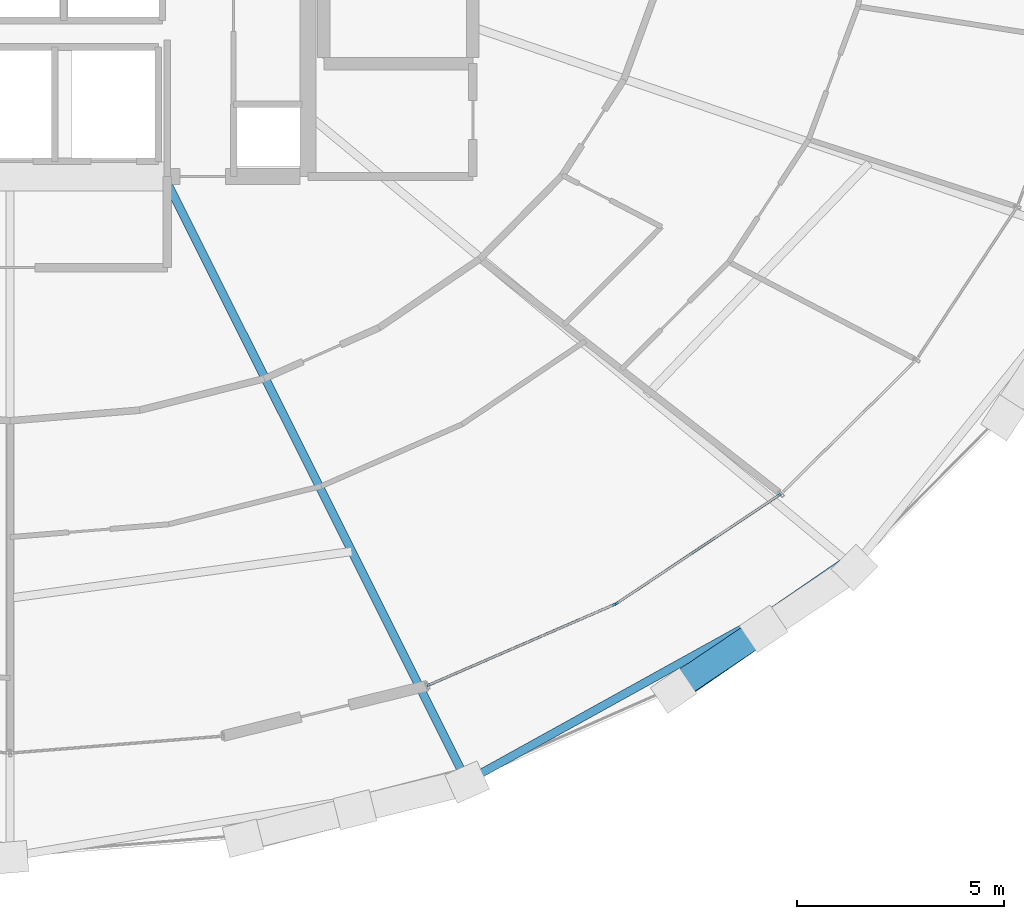
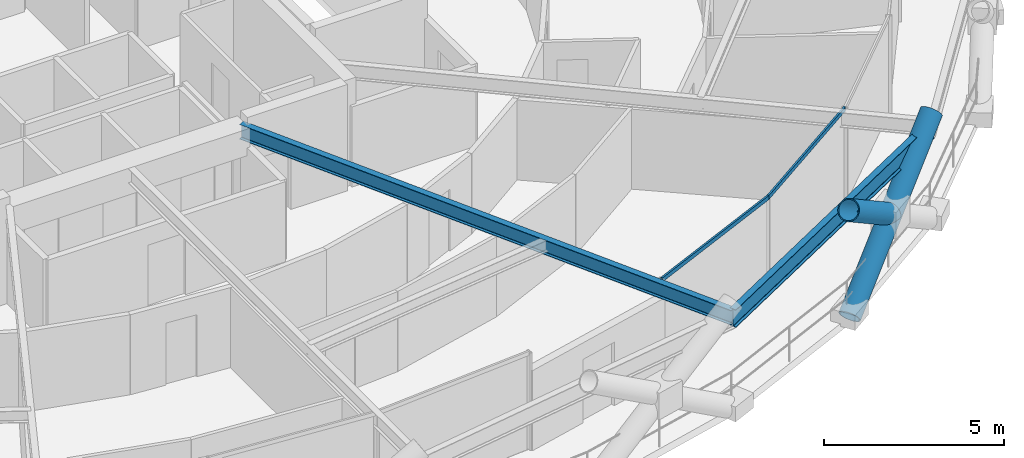
# One storey, part 6 of 21: 4 members, 2 beams, 1 element without a shape of its own.
"""IFC4 building model written with IfcOpenShell, lengths in metres."""

from ifc_helpers import new_model, si_unit, direction, frame, origin, origin_2d, place, context, subcontext, project, spatial, hollow_rectangle, hollow_circle, i_section, extrude, material, layer, layer_set, material_profile, profile_set, type_object, element, aggregate, save


model = new_model("IFC4")

# Units and contexts
model_context = context("Model", 3, precision=1e-05, world=origin(), true_north=direction((0.0, 1.0)))
body_context = subcontext(model_context, "Body", "Model", "MODEL_VIEW")
ifc_project = project(units=[si_unit("LENGTHUNIT", "METRE"), si_unit("AREAUNIT", "SQUARE_METRE"), si_unit("VOLUMEUNIT", "CUBIC_METRE"), si_unit("PLANEANGLEUNIT", "RADIAN"), si_unit("MASSUNIT", "GRAM", prefix="KILO")], contexts=[model_context])

# Site, building, storey
site_placement = place(None, origin())
site = spatial("IfcSite", under=ifc_project, at=site_placement, CompositionType="ELEMENT")
building_placement = place(site_placement, origin())
building = spatial("IfcBuilding", under=site, at=building_placement, Name="Veldorina Hangang Commons", CompositionType="ELEMENT")
storey_placement = place(building_placement, frame((0.0, 0.0, 98.800048828125)))
storey = spatial("IfcBuildingStorey", under=building, at=storey_placement, Name="L25", CompositionType="ELEMENT", Elevation=98.800048828125)

# Beams
ifc_material_1 = material(Name="Steel SM420-TMC", Category="steel")
ifc_material_profile_1 = material_profile(ifc_material_1, i_section(OverallWidth=0.199951171875, OverallDepth=0.5, WebThickness=0.010009765625, FlangeThickness=0.01611328125, FilletRadius=0.01611328125, at=origin_2d()), Name="H-500x200x10x16")
ifc_profile_set_1 = profile_set([ifc_material_profile_1], Name="Steel SM420-TMC")
beam_type_1 = type_object("IfcBeamType", Name="BM-FG500", PredefinedType="BEAM", material=ifc_profile_set_1)
beam_1_placement = place(storey_placement, frame((35.725341796875, 16.550048828125, 3.08984375), z_axis=(0.447243487209, -0.894412244521, 0.0), x_axis=(0.894412244521, 0.447243487209, 0.0)))
element("IfcBeam", 1, at=beam_1_placement, inside=storey, type_object=beam_type_1, Name="L25 radial floor girder 14", PredefinedType="BEAM", context=body_context, shape_type="SweptSolid", body=[
    extrude(i_section(OverallWidth=0.199951171875, OverallDepth=0.5, WebThickness=0.010009765625, FlangeThickness=0.01611328125, FilletRadius=0.01611328125, at=origin_2d()), origin(), (0.0, 0.0, 1.0), 16.3349609375),
])
ifc_material_profile_2 = material_profile(ifc_material_1, i_section(OverallWidth=0.199951171875, OverallDepth=0.60009765625, WebThickness=0.010986328125, FlangeThickness=0.01708984375, FilletRadius=0.01806640625, at=origin_2d()), Name="H-600x200x11x17")
ifc_profile_set_2 = profile_set([ifc_material_profile_2], Name="Steel SM420-TMC")
beam_type_2 = type_object("IfcBeamType", Name="BM-RB600", PredefinedType="BEAM", material=ifc_profile_set_2)
beam_2_placement = place(storey_placement, frame((43.031005859375, 1.93994140625, 3.0400390625), z_axis=(0.874916885273, 0.484273108756, 0.0), x_axis=(-0.484273108756, 0.874916885273, 0.0)))
element("IfcBeam", 2, at=beam_2_placement, inside=storey, type_object=beam_type_2, Name="L25 perimeter hoop ring beam 26", PredefinedType="BEAM", context=body_context, shape_type="SweptSolid", body=[
    extrude(i_section(OverallWidth=0.199951171875, OverallDepth=0.60009765625, WebThickness=0.010986328125, FlangeThickness=0.01708984375, FilletRadius=0.01806640625, at=origin_2d()), origin(), (0.0, 0.0, 1.0), 10.688232421875),
])

# Curtain wall, members
ifc_material_2 = material(Name="Glass Low-E Triple IGU", Category="glass")
ifc_layer = layer(ifc_material_2, 0.179931640625)
ifc_layer_set = layer_set([ifc_layer], Name="Glass Low-E Triple IGU")
curtain_wall_type = type_object("IfcCurtainWallType", Name="CW-SYS-Z1", PredefinedType="NOTDEFINED", material=ifc_layer_set)
curtain_wall_placement = place(storey_placement, origin())
curtain_wall = element("IfcCurtainWall", 3, at=curtain_wall_placement, inside=storey, type_object=curtain_wall_type, Name="L25 unitised curtain wall CW-L25-R2", PredefinedType="NOTDEFINED")
ifc_material_3 = material(Name="Aluminium Anodized AA6063-T6", Category="aluminium")
ifc_material_profile_3 = material_profile(ifc_material_3, hollow_rectangle(XDim=0.06005859375, YDim=0.139892578125, WallThickness=0.00341796875, at=origin_2d()), Name="ALU-RHS-140x60x3.5")
ifc_profile_set_3 = profile_set([ifc_material_profile_3], Name="Aluminium Anodized AA6063-T6")
member_type_1 = type_object("IfcMemberType", Name="CW-TRN-140", PredefinedType="USERDEFINED", material=ifc_profile_set_3)
member_1_placement = place(storey_placement, frame((42.077880859375, 4.248779296875, 3.260009765625), z_axis=(0.917362296331, 0.398053284461, 0.0), x_axis=(-0.398053284461, 0.917362296331, 0.0)))
member_1 = element("IfcMember", 4, at=member_1_placement, type_object=member_type_1, Name="CW-L25-R2 facet 1 transom 1", ObjectType="TRANSOM", PredefinedType="USERDEFINED", context=body_context, shape_type="SweptSolid", body=[
    extrude(hollow_rectangle(XDim=0.06005859375, YDim=0.139892578125, WallThickness=0.00341796875, at=origin_2d()), origin(), (0.0, 0.0, 1.0), 4.963134765625),
])
member_2_placement = place(storey_placement, frame((46.630859375, 6.224365234375, 3.260009765625), z_axis=(0.832222574838, 0.554441688485, 0.0), x_axis=(-0.554441688485, 0.832222574838, 0.0)))
member_2 = element("IfcMember", 5, at=member_2_placement, type_object=member_type_1, Name="CW-L25-R2 facet 2 transom 1", ObjectType="TRANSOM", PredefinedType="USERDEFINED", context=body_context, shape_type="SweptSolid", body=[
    extrude(hollow_rectangle(XDim=0.06005859375, YDim=0.139892578125, WallThickness=0.00341796875, at=origin_2d()), origin(), (0.0, 0.0, 1.0), 4.795166015625),
])
aggregate(curtain_wall, [member_1, member_2])

# Members
ifc_material_4 = material(Name="Steel SM460-TMC", Category="steel")
ifc_material_profile_4 = material_profile(ifc_material_4, hollow_circle(Radius=0.324951171875, WallThickness=0.031982421875, at=origin_2d()), Name="CHS-650x32")
ifc_profile_set_4 = profile_set([ifc_material_profile_4], Name="Steel SM460-TMC")
member_type_2 = type_object("IfcMemberType", Name="DG-CHS650", PredefinedType="BRACE", material=ifc_profile_set_4)
member_3_placement = place(storey_placement, frame((48.031005859375, 4.129150390625, 0.0), z_axis=(0.680646637663, 0.468047289167, 0.563606147714), x_axis=(-0.566613265126, 0.823983863788, 0.0)))
element("IfcMember", 6, at=member_3_placement, inside=storey, type_object=member_type_2, Name="L25 continuous perimeter diagrid brace 27", PredefinedType="BRACE", context=body_context, shape_type="SweptSolid", body=[
    extrude(hollow_circle(Radius=0.324951171875, WallThickness=0.031982421875, at=origin_2d()), origin(), (0.0, 0.0, 1.0), 6.38720703125),
])
member_4_placement = place(storey_placement, frame((50.2060546875, 5.624755859375, 1.801025390625), z_axis=(-0.686252967808, -0.461216955672, 0.562437360046), x_axis=(0.557806846394, -0.829970795942, 0.0)))
element("IfcMember", 7, at=member_4_placement, inside=storey, type_object=member_type_2, Name="L25 split perimeter diagrid upper brace 28", PredefinedType="BRACE", context=body_context, shape_type="SweptSolid", body=[
    extrude(hollow_circle(Radius=0.324951171875, WallThickness=0.031982421875, at=origin_2d()), origin(), (0.0, 0.0, 1.0), 3.1982421875),
])

save(model, "model.ifc")
